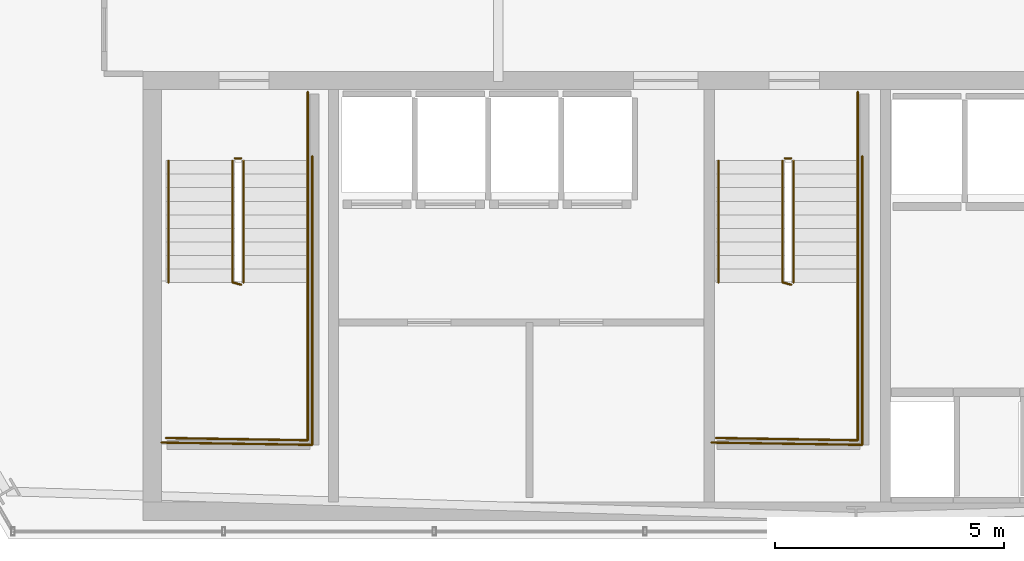
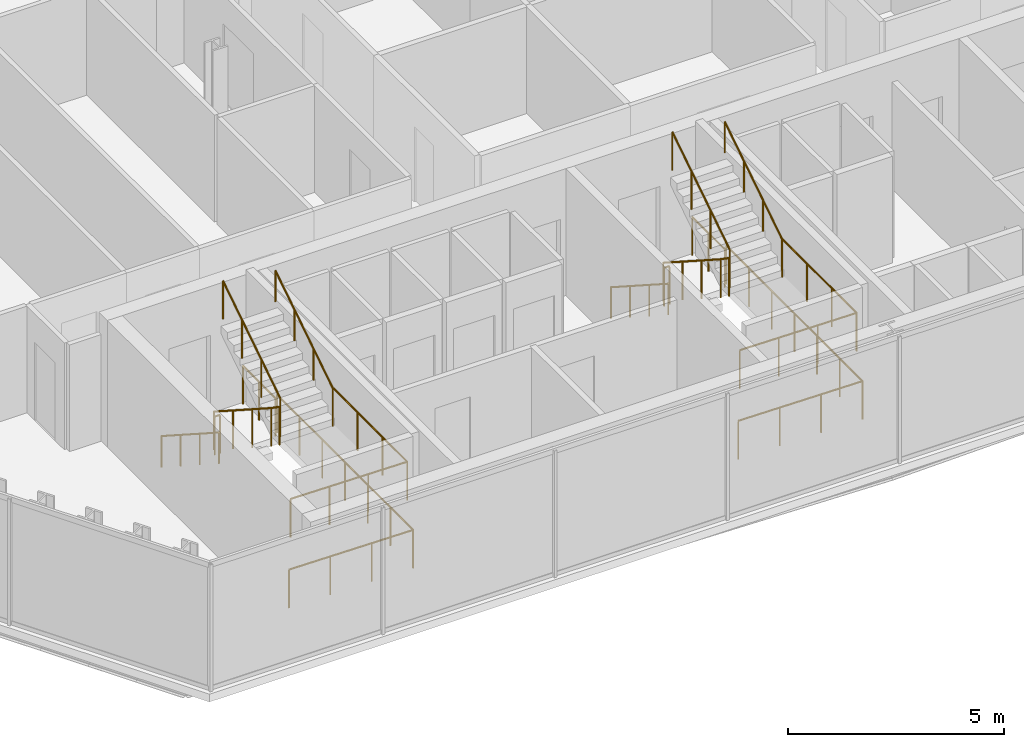
# One storey, part 31 of 33: 16 railings.
"""IFC4 building model written with IfcOpenShell, lengths in metres."""

from ifc_helpers import new_model, si_unit, direction, frame, origin, origin_2d, place, context, subcontext, project, spatial, circle, extrude, material, layer, layer_set, type_object, element, save


model = new_model("IFC4")

# Units and contexts
model_context = context("Model", 3, precision=1e-05, world=origin(), true_north=direction((0.0, 1.0)))
body_context = subcontext(model_context, "Body", "Model", "MODEL_VIEW")
ifc_project = project(units=[si_unit("LENGTHUNIT", "METRE"), si_unit("AREAUNIT", "SQUARE_METRE"), si_unit("VOLUMEUNIT", "CUBIC_METRE"), si_unit("PLANEANGLEUNIT", "RADIAN"), si_unit("MASSUNIT", "GRAM", prefix="KILO")], contexts=[model_context])

# Site, building, storey
site_placement = place(None, origin())
site = spatial("IfcSite", under=ifc_project, at=site_placement, CompositionType="ELEMENT")
building_placement = place(site_placement, origin())
building = spatial("IfcBuilding", under=site, at=building_placement, Name="Ndaravel Arena Tower", CompositionType="ELEMENT")
storey_placement = place(building_placement, frame((0.0, 0.0, 161.199951171875)))
storey = spatial("IfcBuildingStorey", under=building, at=storey_placement, Name="L38", CompositionType="ELEMENT", Elevation=161.199951171875)

# Railings
ifc_material_1 = material(Name="Steel S355", Category="steel")
ifc_layer_1 = layer(ifc_material_1, 0.06005859375)
ifc_layer_set_1 = layer_set([ifc_layer_1], Name="Steel S355")
railing_type_1 = type_object("IfcRailingType", Name="RAIL-STAIR-GD1100", PredefinedType="GUARDRAIL", material=ifc_layer_set_1)
railing_1_placement = place(storey_placement, frame((28.39990234375, 13.25, 0.18994140625)))
element("IfcRailing", 1, at=railing_1_placement, inside=storey, type_object=railing_type_1, Name="L38 ST-1 stair guard 1", PredefinedType="GUARDRAIL", context=body_context, shape_type="SweptSolid", body=[
    extrude(circle(Radius=0.02392578125, at=origin_2d()), frame((0.0, 0.0, 1.076171875), z_axis=(0.0, -0.840688348013, 0.541519253134), x_axis=(1.0, 0.0, 0.0)), (0.0, 0.0, 1.0), 3.158203125),
    extrude(circle(Radius=0.02392578125, at=origin_2d()), frame((0.0, -2.655029296875, 2.7861328125), z_axis=(0.967074537263, -0.25449329928, 0.0), x_axis=(0.25449329928, 0.967074537263, 0.0)), (0.0, 0.0, 1.0), 0.19677734375),
    extrude(circle(Radius=0.02099609375, at=origin_2d()), origin(), (0.0, 0.0, 1.0), 1.052001953125),
    extrude(circle(Radius=0.02099609375, at=origin_2d()), frame((0.0, -0.885009765625, 0.570068359375)), (0.0, 0.0, 1.0), 1.052001953125),
    extrude(circle(Radius=0.02099609375, at=origin_2d()), frame((0.0, -1.77001953125, 1.14013671875)), (0.0, 0.0, 1.0), 1.052001953125),
    extrude(circle(Radius=0.02099609375, at=origin_2d()), frame((0.0, -2.655029296875, 1.710205078125)), (0.0, 0.0, 1.0), 1.052001953125),
    extrude(circle(Radius=0.02099609375, at=origin_2d()), frame((0.190185546875, -2.705078125, 1.710205078125)), (0.0, 0.0, 1.0), 1.052001953125),
])
railing_2_placement = place(storey_placement, frame((30.0400390625, 10.594970703125, 1.900146484375)))
element("IfcRailing", 2, at=railing_2_placement, inside=storey, type_object=railing_type_1, Name="L38 ST-1 stair guard 2", PredefinedType="GUARDRAIL", context=body_context, shape_type="SweptSolid", body=[
    extrude(circle(Radius=0.02392578125, at=origin_2d()), frame((0.0, 0.0, 1.076171875), z_axis=(0.0, -1.0, 0.0), x_axis=(1.0, 0.0, 0.0)), (0.0, 0.0, 1.0), 3.445068359375),
    extrude(circle(Radius=0.02392578125, at=origin_2d()), frame((0.0, -3.445068359375, 1.076171875), z_axis=(-0.999868861343, 0.016194447071, 0.0), x_axis=(-0.016194447071, -0.999868861343, 0.0)), (0.0, 0.0, 1.0), 3.090576171875),
    extrude(circle(Radius=0.02099609375, at=origin_2d()), origin(), (0.0, 0.0, 1.0), 1.052001953125),
    extrude(circle(Radius=0.02099609375, at=origin_2d()), frame((0.0, -1.1484375, 0.0)), (0.0, 0.0, 1.0), 1.052001953125),
    extrude(circle(Radius=0.02099609375, at=origin_2d()), frame((0.0, -2.296630859375, 0.0)), (0.0, 0.0, 1.0), 1.052001953125),
    extrude(circle(Radius=0.02099609375, at=origin_2d()), frame((0.0, -3.445068359375, 0.0)), (0.0, 0.0, 1.0), 1.052001953125),
    extrude(circle(Radius=0.02099609375, at=origin_2d()), frame((-1.030029296875, -3.428466796875, 0.0)), (0.0, 0.0, 1.0), 1.052001953125),
    extrude(circle(Radius=0.02099609375, at=origin_2d()), frame((-2.06005859375, -3.41162109375, 0.0)), (0.0, 0.0, 1.0), 1.052001953125),
    extrude(circle(Radius=0.02099609375, at=origin_2d()), frame((-3.090087890625, -3.39501953125, 0.0)), (0.0, 0.0, 1.0), 1.052001953125),
])
railing_3_placement = place(storey_placement, frame((28.639892578125, 10.594970703125, 2.090087890625)))
element("IfcRailing", 3, at=railing_3_placement, inside=storey, type_object=railing_type_1, Name="L38 ST-1 stair guard 3", PredefinedType="GUARDRAIL", context=body_context, shape_type="SweptSolid", body=[
    extrude(circle(Radius=0.02392578125, at=origin_2d()), frame((0.0, 0.0, 1.076171875), z_axis=(0.0, 0.840723540582, 0.54146461409), x_axis=(-1.0, 0.0, 0.0)), (0.0, 0.0, 1.0), 3.157958984375),
    extrude(circle(Radius=0.02099609375, at=origin_2d()), origin(), (0.0, 0.0, 1.0), 1.052001953125),
    extrude(circle(Radius=0.02099609375, at=origin_2d()), frame((0.0, 0.885009765625, 0.570068359375)), (0.0, 0.0, 1.0), 1.052001953125),
    extrude(circle(Radius=0.02099609375, at=origin_2d()), frame((0.0, 1.77001953125, 1.139892578125)), (0.0, 0.0, 1.0), 1.052001953125),
    extrude(circle(Radius=0.02099609375, at=origin_2d()), frame((0.0, 2.655029296875, 1.7099609375)), (0.0, 0.0, 1.0), 1.052001953125),
])
railing_4_placement = place(storey_placement, frame((28.449951171875, 13.300048828125, 0.0)))
element("IfcRailing", 4, at=railing_4_placement, inside=storey, type_object=railing_type_1, Name="L38 ST-1 stair guard 4", PredefinedType="GUARDRAIL", context=body_context, shape_type="SweptSolid", body=[
    extrude(circle(Radius=0.02392578125, at=origin_2d()), frame((0.0, 0.0, 1.076171875), z_axis=(1.0, 0.0, 0.0), x_axis=(0.0, 1.0, 0.0)), (0.0, 0.0, 1.0), 0.14013671875),
    extrude(circle(Radius=0.02099609375, at=origin_2d()), origin(), (0.0, 0.0, 1.0), 1.052001953125),
    extrude(circle(Radius=0.02099609375, at=origin_2d()), frame((0.14013671875, 0.0, 0.0)), (0.0, 0.0, 1.0), 1.052001953125),
])
railing_5_placement = place(storey_placement, frame((30.0400390625, 14.75, 0.0)))
element("IfcRailing", 5, at=railing_5_placement, inside=storey, type_object=railing_type_1, Name="L38 ST-1 stair guard 5", PredefinedType="GUARDRAIL", context=body_context, shape_type="SweptSolid", body=[
    extrude(circle(Radius=0.02392578125, at=origin_2d()), frame((0.0, 0.0, 1.076171875), z_axis=(0.0, -1.0, 0.0), x_axis=(1.0, 0.0, 0.0)), (0.0, 0.0, 1.0), 1.5),
    extrude(circle(Radius=0.02099609375, at=origin_2d()), origin(), (0.0, 0.0, 1.0), 1.052001953125),
    extrude(circle(Radius=0.02099609375, at=origin_2d()), frame((0.0, -0.75, 0.0)), (0.0, 0.0, 1.0), 1.052001953125),
    extrude(circle(Radius=0.02099609375, at=origin_2d()), frame((0.0, -1.5, 0.0)), (0.0, 0.0, 1.0), 1.052001953125),
])
railing_6_placement = place(storey_placement, frame((30.139892578125, 13.35009765625, 0.0)))
element("IfcRailing", 6, at=railing_6_placement, inside=storey, type_object=railing_type_1, Name="L38 ST-1 stair guard 6", PredefinedType="GUARDRAIL", context=body_context, shape_type="SweptSolid", body=[
    extrude(circle(Radius=0.02392578125, at=origin_2d()), frame((0.0, 0.0, 1.076171875), z_axis=(0.0, -1.0, 0.0), x_axis=(1.0, 0.0, 0.0)), (0.0, 0.0, 1.0), 6.300048828125),
    extrude(circle(Radius=0.02392578125, at=origin_2d()), frame((0.0, -6.300048828125, 1.076171875), z_axis=(-0.999884296952, 0.015211597839, 0.0), x_axis=(-0.015211597839, -0.999884296952, 0.0)), (0.0, 0.0, 1.0), 3.290283203125),
    extrude(circle(Radius=0.02099609375, at=origin_2d()), origin(), (0.0, 0.0, 1.0), 1.052001953125),
    extrude(circle(Radius=0.02099609375, at=origin_2d()), frame((0.0, -1.050048828125, 0.0)), (0.0, 0.0, 1.0), 1.052001953125),
    extrude(circle(Radius=0.02099609375, at=origin_2d()), frame((0.0, -2.10009765625, 0.0)), (0.0, 0.0, 1.0), 1.052001953125),
    extrude(circle(Radius=0.02099609375, at=origin_2d()), frame((0.0, -3.14990234375, 0.0)), (0.0, 0.0, 1.0), 1.052001953125),
    extrude(circle(Radius=0.02099609375, at=origin_2d()), frame((0.0, -4.199951171875, 0.0)), (0.0, 0.0, 1.0), 1.052001953125),
    extrude(circle(Radius=0.02099609375, at=origin_2d()), frame((0.0, -5.25, 0.0)), (0.0, 0.0, 1.0), 1.052001953125),
    extrude(circle(Radius=0.02099609375, at=origin_2d()), frame((0.0, -6.300048828125, 0.0)), (0.0, 0.0, 1.0), 1.052001953125),
    extrude(circle(Radius=0.02099609375, at=origin_2d()), frame((-1.0966796875, -6.283447265625, 0.0)), (0.0, 0.0, 1.0), 1.052001953125),
    extrude(circle(Radius=0.02099609375, at=origin_2d()), frame((-2.193115234375, -6.2666015625, 0.0)), (0.0, 0.0, 1.0), 1.052001953125),
    extrude(circle(Radius=0.02099609375, at=origin_2d()), frame((-3.289794921875, -6.25, 0.0)), (0.0, 0.0, 1.0), 1.052001953125),
])
railing_7_placement = place(storey_placement, frame((40.39990234375, 13.25, 0.18994140625)))
element("IfcRailing", 7, at=railing_7_placement, inside=storey, type_object=railing_type_1, Name="L38 ST-2 stair guard 1", PredefinedType="GUARDRAIL", context=body_context, shape_type="SweptSolid", body=[
    extrude(circle(Radius=0.02392578125, at=origin_2d()), frame((0.0, 0.0, 1.076171875), z_axis=(0.0, -0.840688348013, 0.541519253134), x_axis=(1.0, 0.0, 0.0)), (0.0, 0.0, 1.0), 3.158203125),
    extrude(circle(Radius=0.02392578125, at=origin_2d()), frame((0.0, -2.655029296875, 2.7861328125), z_axis=(0.967074537263, -0.25449329928, 0.0), x_axis=(0.25449329928, 0.967074537263, 0.0)), (0.0, 0.0, 1.0), 0.19677734375),
    extrude(circle(Radius=0.02099609375, at=origin_2d()), origin(), (0.0, 0.0, 1.0), 1.052001953125),
    extrude(circle(Radius=0.02099609375, at=origin_2d()), frame((0.0, -0.885009765625, 0.570068359375)), (0.0, 0.0, 1.0), 1.052001953125),
    extrude(circle(Radius=0.02099609375, at=origin_2d()), frame((0.0, -1.77001953125, 1.14013671875)), (0.0, 0.0, 1.0), 1.052001953125),
    extrude(circle(Radius=0.02099609375, at=origin_2d()), frame((0.0, -2.655029296875, 1.710205078125)), (0.0, 0.0, 1.0), 1.052001953125),
    extrude(circle(Radius=0.02099609375, at=origin_2d()), frame((0.190185546875, -2.705078125, 1.710205078125)), (0.0, 0.0, 1.0), 1.052001953125),
])
railing_8_placement = place(storey_placement, frame((42.0400390625, 10.594970703125, 1.900146484375)))
element("IfcRailing", 8, at=railing_8_placement, inside=storey, type_object=railing_type_1, Name="L38 ST-2 stair guard 2", PredefinedType="GUARDRAIL", context=body_context, shape_type="SweptSolid", body=[
    extrude(circle(Radius=0.02392578125, at=origin_2d()), frame((0.0, 0.0, 1.076171875), z_axis=(0.0, -1.0, 0.0), x_axis=(1.0, 0.0, 0.0)), (0.0, 0.0, 1.0), 3.445068359375),
    extrude(circle(Radius=0.02392578125, at=origin_2d()), frame((0.0, -3.445068359375, 1.076171875), z_axis=(-0.999868861343, 0.016194447071, 0.0), x_axis=(-0.016194447071, -0.999868861343, 0.0)), (0.0, 0.0, 1.0), 3.090576171875),
    extrude(circle(Radius=0.02099609375, at=origin_2d()), origin(), (0.0, 0.0, 1.0), 1.052001953125),
    extrude(circle(Radius=0.02099609375, at=origin_2d()), frame((0.0, -1.1484375, 0.0)), (0.0, 0.0, 1.0), 1.052001953125),
    extrude(circle(Radius=0.02099609375, at=origin_2d()), frame((0.0, -2.296630859375, 0.0)), (0.0, 0.0, 1.0), 1.052001953125),
    extrude(circle(Radius=0.02099609375, at=origin_2d()), frame((0.0, -3.445068359375, 0.0)), (0.0, 0.0, 1.0), 1.052001953125),
    extrude(circle(Radius=0.02099609375, at=origin_2d()), frame((-1.030029296875, -3.428466796875, 0.0)), (0.0, 0.0, 1.0), 1.052001953125),
    extrude(circle(Radius=0.02099609375, at=origin_2d()), frame((-2.06005859375, -3.41162109375, 0.0)), (0.0, 0.0, 1.0), 1.052001953125),
    extrude(circle(Radius=0.02099609375, at=origin_2d()), frame((-3.090087890625, -3.39501953125, 0.0)), (0.0, 0.0, 1.0), 1.052001953125),
])
railing_9_placement = place(storey_placement, frame((40.639892578125, 10.594970703125, 2.090087890625)))
element("IfcRailing", 9, at=railing_9_placement, inside=storey, type_object=railing_type_1, Name="L38 ST-2 stair guard 3", PredefinedType="GUARDRAIL", context=body_context, shape_type="SweptSolid", body=[
    extrude(circle(Radius=0.02392578125, at=origin_2d()), frame((0.0, 0.0, 1.076171875), z_axis=(0.0, 0.840723540582, 0.54146461409), x_axis=(-1.0, 0.0, 0.0)), (0.0, 0.0, 1.0), 3.157958984375),
    extrude(circle(Radius=0.02099609375, at=origin_2d()), origin(), (0.0, 0.0, 1.0), 1.052001953125),
    extrude(circle(Radius=0.02099609375, at=origin_2d()), frame((0.0, 0.885009765625, 0.570068359375)), (0.0, 0.0, 1.0), 1.052001953125),
    extrude(circle(Radius=0.02099609375, at=origin_2d()), frame((0.0, 1.77001953125, 1.139892578125)), (0.0, 0.0, 1.0), 1.052001953125),
    extrude(circle(Radius=0.02099609375, at=origin_2d()), frame((0.0, 2.655029296875, 1.7099609375)), (0.0, 0.0, 1.0), 1.052001953125),
])
railing_10_placement = place(storey_placement, frame((40.449951171875, 13.300048828125, 0.0)))
element("IfcRailing", 10, at=railing_10_placement, inside=storey, type_object=railing_type_1, Name="L38 ST-2 stair guard 4", PredefinedType="GUARDRAIL", context=body_context, shape_type="SweptSolid", body=[
    extrude(circle(Radius=0.02392578125, at=origin_2d()), frame((0.0, 0.0, 1.076171875), z_axis=(1.0, 0.0, 0.0), x_axis=(0.0, 1.0, 0.0)), (0.0, 0.0, 1.0), 0.14013671875),
    extrude(circle(Radius=0.02099609375, at=origin_2d()), origin(), (0.0, 0.0, 1.0), 1.052001953125),
    extrude(circle(Radius=0.02099609375, at=origin_2d()), frame((0.14013671875, 0.0, 0.0)), (0.0, 0.0, 1.0), 1.052001953125),
])
railing_11_placement = place(storey_placement, frame((42.0400390625, 14.75, 0.0)))
element("IfcRailing", 11, at=railing_11_placement, inside=storey, type_object=railing_type_1, Name="L38 ST-2 stair guard 5", PredefinedType="GUARDRAIL", context=body_context, shape_type="SweptSolid", body=[
    extrude(circle(Radius=0.02392578125, at=origin_2d()), frame((0.0, 0.0, 1.076171875), z_axis=(0.0, -1.0, 0.0), x_axis=(1.0, 0.0, 0.0)), (0.0, 0.0, 1.0), 1.5),
    extrude(circle(Radius=0.02099609375, at=origin_2d()), origin(), (0.0, 0.0, 1.0), 1.052001953125),
    extrude(circle(Radius=0.02099609375, at=origin_2d()), frame((0.0, -0.75, 0.0)), (0.0, 0.0, 1.0), 1.052001953125),
    extrude(circle(Radius=0.02099609375, at=origin_2d()), frame((0.0, -1.5, 0.0)), (0.0, 0.0, 1.0), 1.052001953125),
])
railing_12_placement = place(storey_placement, frame((42.139892578125, 13.35009765625, 0.0)))
element("IfcRailing", 12, at=railing_12_placement, inside=storey, type_object=railing_type_1, Name="L38 ST-2 stair guard 6", PredefinedType="GUARDRAIL", context=body_context, shape_type="SweptSolid", body=[
    extrude(circle(Radius=0.02392578125, at=origin_2d()), frame((0.0, 0.0, 1.076171875), z_axis=(0.0, -1.0, 0.0), x_axis=(1.0, 0.0, 0.0)), (0.0, 0.0, 1.0), 6.300048828125),
    extrude(circle(Radius=0.02392578125, at=origin_2d()), frame((0.0, -6.300048828125, 1.076171875), z_axis=(-0.999884296952, 0.015211597839, 0.0), x_axis=(-0.015211597839, -0.999884296952, 0.0)), (0.0, 0.0, 1.0), 3.290283203125),
    extrude(circle(Radius=0.02099609375, at=origin_2d()), origin(), (0.0, 0.0, 1.0), 1.052001953125),
    extrude(circle(Radius=0.02099609375, at=origin_2d()), frame((0.0, -1.050048828125, 0.0)), (0.0, 0.0, 1.0), 1.052001953125),
    extrude(circle(Radius=0.02099609375, at=origin_2d()), frame((0.0, -2.10009765625, 0.0)), (0.0, 0.0, 1.0), 1.052001953125),
    extrude(circle(Radius=0.02099609375, at=origin_2d()), frame((0.0, -3.14990234375, 0.0)), (0.0, 0.0, 1.0), 1.052001953125),
    extrude(circle(Radius=0.02099609375, at=origin_2d()), frame((0.0, -4.199951171875, 0.0)), (0.0, 0.0, 1.0), 1.052001953125),
    extrude(circle(Radius=0.02099609375, at=origin_2d()), frame((0.0, -5.25, 0.0)), (0.0, 0.0, 1.0), 1.052001953125),
    extrude(circle(Radius=0.02099609375, at=origin_2d()), frame((0.0, -6.300048828125, 0.0)), (0.0, 0.0, 1.0), 1.052001953125),
    extrude(circle(Radius=0.02099609375, at=origin_2d()), frame((-1.0966796875, -6.283447265625, 0.0)), (0.0, 0.0, 1.0), 1.052001953125),
    extrude(circle(Radius=0.02099609375, at=origin_2d()), frame((-2.193115234375, -6.2666015625, 0.0)), (0.0, 0.0, 1.0), 1.052001953125),
    extrude(circle(Radius=0.02099609375, at=origin_2d()), frame((-3.289794921875, -6.25, 0.0)), (0.0, 0.0, 1.0), 1.052001953125),
])
ifc_material_2 = material(Name="Steel S355", Category="steel")
ifc_layer_2 = layer(ifc_material_2, 0.050048828125)
ifc_layer_set_2 = layer_set([ifc_layer_2], Name="Steel S355")
railing_type_2 = type_object("IfcRailingType", Name="RAIL-STAIR-HR920", PredefinedType="HANDRAIL", material=ifc_layer_set_2)
railing_13_placement = place(storey_placement, frame((27.0, 13.25, 0.18994140625)))
element("IfcRailing", 13, at=railing_13_placement, inside=storey, type_object=railing_type_2, Name="L38 ST-1 stair handrail 1", PredefinedType="HANDRAIL", context=body_context, shape_type="SweptSolid", body=[
    extrude(circle(Radius=0.02392578125, at=origin_2d()), frame((0.0, 0.0, 0.8759765625), z_axis=(0.0, -0.840688348013, 0.541519253134), x_axis=(1.0, 0.0, 0.0)), (0.0, 0.0, 1.0), 3.158203125),
    extrude(circle(Radius=0.02099609375, at=origin_2d()), origin(), (0.0, 0.0, 1.0), 0.851806640625),
    extrude(circle(Radius=0.02099609375, at=origin_2d()), frame((0.0, -0.885009765625, 0.570068359375)), (0.0, 0.0, 1.0), 0.851806640625),
    extrude(circle(Radius=0.02099609375, at=origin_2d()), frame((0.0, -1.77001953125, 1.14013671875)), (0.0, 0.0, 1.0), 0.851806640625),
    extrude(circle(Radius=0.02099609375, at=origin_2d()), frame((0.0, -2.655029296875, 1.710205078125)), (0.0, 0.0, 1.0), 0.851806640625),
])
railing_14_placement = place(storey_placement, frame((30.0400390625, 10.594970703125, 2.090087890625)))
element("IfcRailing", 14, at=railing_14_placement, inside=storey, type_object=railing_type_2, Name="L38 ST-1 stair handrail 2", PredefinedType="HANDRAIL", context=body_context, shape_type="SweptSolid", body=[
    extrude(circle(Radius=0.02392578125, at=origin_2d()), frame((0.0, 0.0, 0.8759765625), z_axis=(0.0, 0.840723540582, 0.54146461409), x_axis=(-1.0, 0.0, 0.0)), (0.0, 0.0, 1.0), 3.157958984375),
    extrude(circle(Radius=0.02099609375, at=origin_2d()), origin(), (0.0, 0.0, 1.0), 0.851806640625),
    extrude(circle(Radius=0.02099609375, at=origin_2d()), frame((0.0, 0.885009765625, 0.570068359375)), (0.0, 0.0, 1.0), 0.851806640625),
    extrude(circle(Radius=0.02099609375, at=origin_2d()), frame((0.0, 1.77001953125, 1.139892578125)), (0.0, 0.0, 1.0), 0.851806640625),
    extrude(circle(Radius=0.02099609375, at=origin_2d()), frame((0.0, 2.655029296875, 1.7099609375)), (0.0, 0.0, 1.0), 0.851806640625),
])
railing_15_placement = place(storey_placement, frame((39.0, 13.25, 0.18994140625)))
element("IfcRailing", 15, at=railing_15_placement, inside=storey, type_object=railing_type_2, Name="L38 ST-2 stair handrail 1", PredefinedType="HANDRAIL", context=body_context, shape_type="SweptSolid", body=[
    extrude(circle(Radius=0.02392578125, at=origin_2d()), frame((0.0, 0.0, 0.8759765625), z_axis=(0.0, -0.840688348013, 0.541519253134), x_axis=(1.0, 0.0, 0.0)), (0.0, 0.0, 1.0), 3.158203125),
    extrude(circle(Radius=0.02099609375, at=origin_2d()), origin(), (0.0, 0.0, 1.0), 0.851806640625),
    extrude(circle(Radius=0.02099609375, at=origin_2d()), frame((0.0, -0.885009765625, 0.570068359375)), (0.0, 0.0, 1.0), 0.851806640625),
    extrude(circle(Radius=0.02099609375, at=origin_2d()), frame((0.0, -1.77001953125, 1.14013671875)), (0.0, 0.0, 1.0), 0.851806640625),
    extrude(circle(Radius=0.02099609375, at=origin_2d()), frame((0.0, -2.655029296875, 1.710205078125)), (0.0, 0.0, 1.0), 0.851806640625),
])
railing_16_placement = place(storey_placement, frame((42.0400390625, 10.594970703125, 2.090087890625)))
element("IfcRailing", 16, at=railing_16_placement, inside=storey, type_object=railing_type_2, Name="L38 ST-2 stair handrail 2", PredefinedType="HANDRAIL", context=body_context, shape_type="SweptSolid", body=[
    extrude(circle(Radius=0.02392578125, at=origin_2d()), frame((0.0, 0.0, 0.8759765625), z_axis=(0.0, 0.840723540582, 0.54146461409), x_axis=(-1.0, 0.0, 0.0)), (0.0, 0.0, 1.0), 3.157958984375),
    extrude(circle(Radius=0.02099609375, at=origin_2d()), origin(), (0.0, 0.0, 1.0), 0.851806640625),
    extrude(circle(Radius=0.02099609375, at=origin_2d()), frame((0.0, 0.885009765625, 0.570068359375)), (0.0, 0.0, 1.0), 0.851806640625),
    extrude(circle(Radius=0.02099609375, at=origin_2d()), frame((0.0, 1.77001953125, 1.139892578125)), (0.0, 0.0, 1.0), 0.851806640625),
    extrude(circle(Radius=0.02099609375, at=origin_2d()), frame((0.0, 2.655029296875, 1.7099609375)), (0.0, 0.0, 1.0), 0.851806640625),
])

save(model, "model.ifc")
